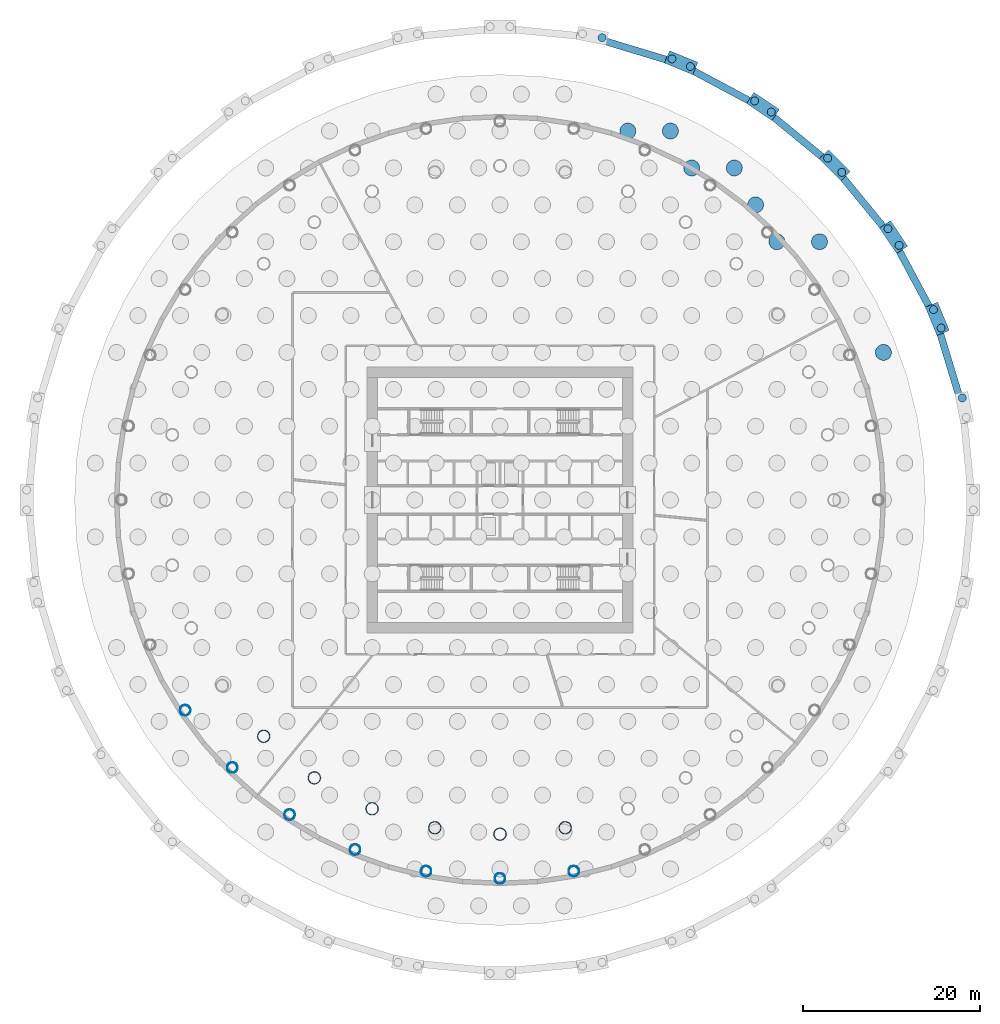
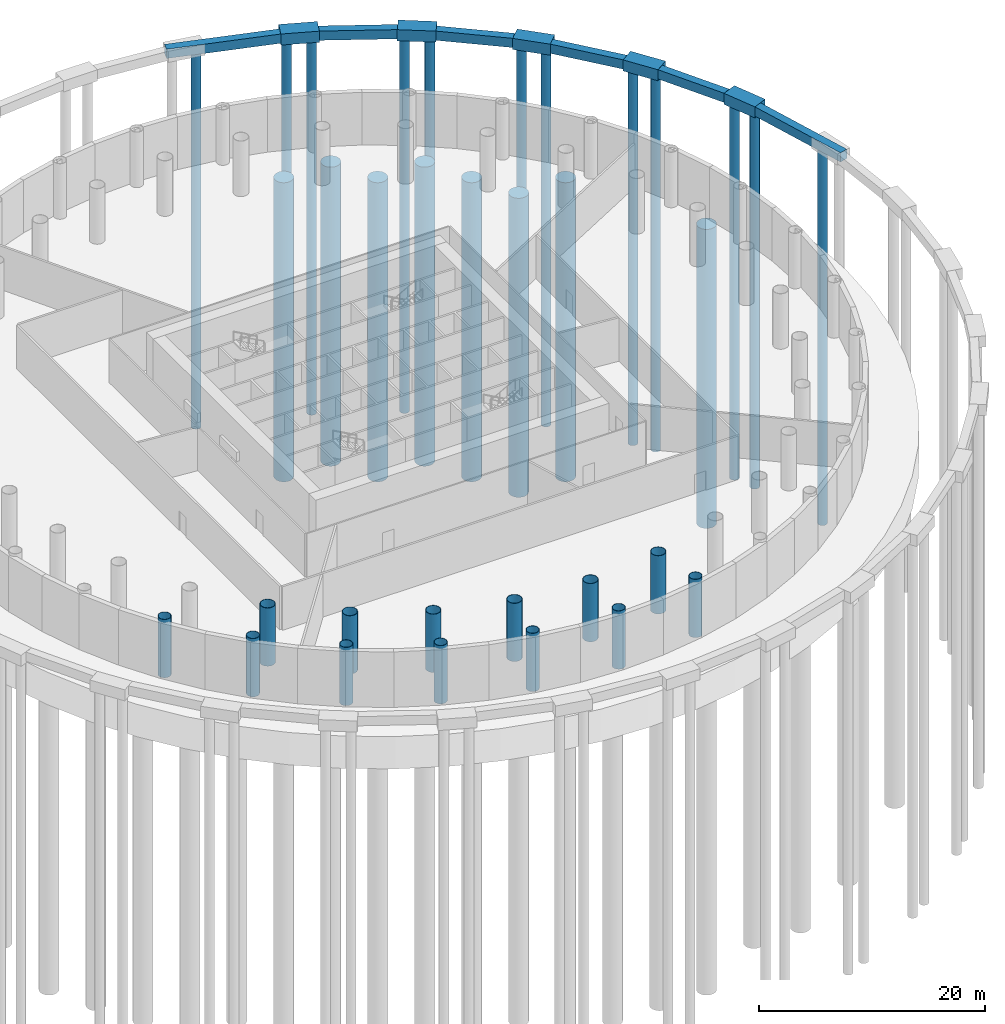
# One storey, part 3 of 12: 20 piles, 13 columns, 11 footings.
"""IFC4 building model written with IfcOpenShell, lengths in metres."""

import ifcopenshell
import ifcopenshell.guid

model = None  # the IFC model being written
_history = None  # IfcOwnerHistory: only IFC2X3 demands one
_inside = {}  # id of a spatial element -> (the spatial element, [elements in it])
_under = {}  # id of a project, library or spatial element -> (it, [spatial elements below it])
_declared = {}  # id of a project -> (the project, [libraries it declares])
_typed = {}  # id of a type object -> (the type object, [elements of that type])
_made_of = {}  # id of a material, layer set ... -> (it, [elements and type objects made of it])


def new_model(schema):
    """Start an empty IFC model of exactly this schema.

    Asked for "IFC4X3", IfcOpenShell would pick the latest addendum, in which some entities
    have other attributes; the version numbers below select the first issue.
    IFC2X3 requires an IfcOwnerHistory on every rooted entity: one is made here for all.
    """
    global model, _history
    if schema == "IFC4X3":
        model = ifcopenshell.file(schema_version=(4, 3, 0, 0))
    else:
        model = ifcopenshell.file(schema=schema)
    _inside.clear()
    _under.clear()
    _declared.clear()
    _typed.clear()
    _made_of.clear()
    _history = None
    if model.schema == "IFC2X3":
        org = make("IfcOrganization", Name="unknown")
        user = make(
            "IfcPersonAndOrganization",
            ThePerson=make("IfcPerson", FamilyName="unknown"),
            TheOrganization=org,
        )
        app = make(
            "IfcApplication",
            ApplicationDeveloper=org,
            Version="unknown",
            ApplicationFullName="unknown",
            ApplicationIdentifier="unknown",
        )
        _history = make(
            "IfcOwnerHistory",
            OwningUser=user,
            OwningApplication=app,
            ChangeAction="ADDED",
            CreationDate=0,
        )
    return model


def make(cls, **values):
    """One entity of the class cls with the attributes given. An attribute that is None is left unset."""
    return model.create_entity(
        cls, **{name: value for name, value in values.items() if value is not None}
    )


def rooted(cls, **values):
    """An entity with a GlobalId (a new one), such as an element, a storey or a relation."""
    return make(cls, GlobalId=ifcopenshell.guid.new(), OwnerHistory=_history, **values)


def si_unit(unit_type, name, prefix=None):
    """IfcSIUnit, for example si_unit("LENGTHUNIT", "METRE", prefix="MILLI")."""
    return make("IfcSIUnit", UnitType=unit_type, Prefix=prefix, Name=name)


def assignment(units):
    """IfcUnitAssignment: the units of a project."""
    return None if units is None else make("IfcUnitAssignment", Units=units)


def point(xyz):
    """IfcCartesianPoint."""
    return None if xyz is None else make("IfcCartesianPoint", Coordinates=xyz)


def direction(xyz):
    """IfcDirection."""
    return None if xyz is None else make("IfcDirection", DirectionRatios=xyz)


def frame(location, z_axis=None, x_axis=None):
    """IfcAxis2Placement3D, a coordinate frame: its origin and axes. An axis left out is left unset."""
    return make(
        "IfcAxis2Placement3D",
        Location=point(location),
        Axis=direction(z_axis),
        RefDirection=direction(x_axis),
    )


def frame_2d(location, x_axis=None):
    """IfcAxis2Placement2D, a coordinate frame in the plane: its origin and x axis."""
    return make(
        "IfcAxis2Placement2D", Location=point(location), RefDirection=direction(x_axis)
    )


def origin():
    """The frame at (0, 0, 0) with its axes left unset."""
    return frame((0.0, 0.0, 0.0))


def origin_2d():
    """The frame at (0, 0) in the plane with its x axis left unset."""
    return frame_2d((0.0, 0.0))


def place(relative_to, where):
    """IfcLocalPlacement: puts the frame where relative to a parent placement (None: the world)."""
    return make(
        "IfcLocalPlacement", PlacementRelTo=relative_to, RelativePlacement=where
    )


def context(
    kind, dimensions, precision=None, world=None, true_north=None, identifier=None
):
    """IfcGeometricRepresentationContext, for example the 3D "Model" context."""
    return make(
        "IfcGeometricRepresentationContext",
        ContextIdentifier=identifier,
        ContextType=kind,
        CoordinateSpaceDimension=dimensions,
        Precision=precision,
        WorldCoordinateSystem=world,
        TrueNorth=true_north,
    )


def subcontext(parent, identifier, kind, view, scale=None):
    """IfcGeometricRepresentationSubContext, for example "Body" below "Model"."""
    return make(
        "IfcGeometricRepresentationSubContext",
        ContextIdentifier=identifier,
        ContextType=kind,
        ParentContext=parent,
        TargetScale=scale,
        TargetView=view,
    )


def project(units=None, contexts=None):
    """IfcProject with its units and contexts."""
    return rooted(
        "IfcProject",
        Name="project",
        RepresentationContexts=contexts,
        UnitsInContext=assignment(units),
    )


def spatial(cls, under=None, at=None, **own):
    """A site, building, storey or space (cls), placed at a placement, below another one or the project."""
    s = rooted(cls, ObjectPlacement=at, **own)
    if under is not None:
        _under.setdefault(under.id(), (under, []))[1].append(s)
    return s


def profile(cls, at=None, kind="AREA", **sizes):
    """A parametric profile (cls). Its sizes go by their IFC names, for example OverallWidth=200.0."""
    return make(cls, ProfileType=kind, Position=at, **sizes)


def rectangle(**sizes):
    """IfcRectangleProfileDef."""
    return profile("IfcRectangleProfileDef", **sizes)


def circle(**sizes):
    """IfcCircleProfileDef."""
    return profile("IfcCircleProfileDef", **sizes)


def hollow_circle(**sizes):
    """IfcCircleHollowProfileDef."""
    return profile("IfcCircleHollowProfileDef", **sizes)


def extrude(swept, where, along, depth):
    """IfcExtrudedAreaSolid: the profile swept, set in the frame where, extruded along a direction by depth."""
    return make(
        "IfcExtrudedAreaSolid",
        SweptArea=swept,
        Position=where,
        ExtrudedDirection=direction(along),
        Depth=depth,
    )


def shape(context_of_items, identifier, shape_type, items):
    """IfcShapeRepresentation: the items that make up one representation, for example the "Body"."""
    return make(
        "IfcShapeRepresentation",
        ContextOfItems=context_of_items,
        RepresentationIdentifier=identifier,
        RepresentationType=shape_type,
        Items=items,
    )


def material(Name=None, Category=None):
    """IfcMaterial."""
    return make("IfcMaterial", Name=Name, Category=Category)


def layer(
    of_material, thickness, ventilated=None, Name=None, Category=None, Priority=None
):
    """IfcMaterialLayer: one layer of a wall or slab, of a material (None: an air gap)."""
    return make(
        "IfcMaterialLayer",
        Material=of_material,
        LayerThickness=thickness,
        IsVentilated=ventilated,
        Name=Name,
        Category=Category,
        Priority=Priority,
    )


def layer_set(layers, Name=None):
    """IfcMaterialLayerSet."""
    return make("IfcMaterialLayerSet", MaterialLayers=layers, LayerSetName=Name)


def material_profile(
    of_material, cross_section, Name=None, Category=None, Priority=None
):
    """IfcMaterialProfile: a cross section and its material."""
    return make(
        "IfcMaterialProfile",
        Name=Name,
        Material=of_material,
        Profile=cross_section,
        Priority=Priority,
        Category=Category,
    )


def profile_set(profiles, Name=None, composite=None):
    """IfcMaterialProfileSet."""
    return make(
        "IfcMaterialProfileSet",
        Name=Name,
        MaterialProfiles=profiles,
        CompositeProfile=composite,
    )


def made_of(thing, what):
    """Note that an element or type object is made of a material, layer set ...; save() writes the relation."""
    if what is not None:
        _made_of.setdefault(what.id(), (what, []))[1].append(thing)
    return thing


def type_object(cls, material=None, **own):
    """A type object (cls), such as IfcWallType, which elements share."""
    return made_of(rooted(cls, **own), material)


def element(
    cls,
    number,
    at=None,
    inside=None,
    cuts=None,
    type_object=None,
    material=None,
    context=None,
    identifier="Body",
    shape_type=None,
    held_by="IfcProductDefinitionShape",
    body=None,
    shapes=None,
    **own,
):
    """One element of the class cls, such as IfcWall. Its Tag is "e" and its number.

    at: its placement. inside: the storey or other place that contains it. cuts: it is an
    opening in that element (IfcRelVoidsElement). A single representation is given by context,
    identifier, shape_type and body (its items); several are given by shapes. held_by: the class
    of the entity that holds the representations. save() writes the other relations.
    """
    e = rooted(cls, Tag="e%d" % number, ObjectPlacement=at, **own)
    if body is not None:
        shapes = [shape(context, identifier, shape_type, body)]
    if shapes is not None:
        e.Representation = make(held_by, Representations=shapes)
    if inside is not None:
        _inside.setdefault(inside.id(), (inside, []))[1].append(e)
    if cuts is not None:
        rooted(
            "IfcRelVoidsElement", RelatingBuildingElement=cuts, RelatedOpeningElement=e
        )
    if type_object is not None:
        _typed.setdefault(type_object.id(), (type_object, []))[1].append(e)
    return made_of(e, material)


def aggregate(whole, parts):
    """IfcRelAggregates: a whole, such as a stair, and the parts it consists of."""
    return rooted("IfcRelAggregates", RelatingObject=whole, RelatedObjects=parts)


def save(model, path):
    """Write the relations noted so far, then the file.

    IfcRelAggregates (storeys below a building ...), IfcRelContainedInSpatialStructure (elements
    in a storey), IfcRelDefinesByType, IfcRelAssociatesMaterial and IfcRelDeclares: one each for
    every whole, place, type object, material and project.
    """
    for whole, parts in _under.values():
        aggregate(whole, parts)
    for where, things in _inside.values():
        rooted(
            "IfcRelContainedInSpatialStructure",
            RelatedElements=things,
            RelatingStructure=where,
        )
    for kind, things in _typed.values():
        rooted("IfcRelDefinesByType", RelatedObjects=things, RelatingType=kind)
    for what, things in _made_of.values():
        rooted("IfcRelAssociatesMaterial", RelatedObjects=things, RelatingMaterial=what)
    for by, libraries in _declared.values():
        rooted("IfcRelDeclares", RelatingContext=by, RelatedDefinitions=libraries)
    model.write(path)


model = new_model("IFC4")

# Units and contexts
model_context = context("Model", 3, precision=1e-05, world=origin(), true_north=direction((0.0, 1.0)))
body_context = subcontext(model_context, "Body", "Model", "MODEL_VIEW")
ifc_project = project(units=[si_unit("LENGTHUNIT", "METRE"), si_unit("AREAUNIT", "SQUARE_METRE"), si_unit("VOLUMEUNIT", "CUBIC_METRE"), si_unit("PLANEANGLEUNIT", "RADIAN"), si_unit("MASSUNIT", "GRAM", prefix="KILO")], contexts=[model_context])

# Site, building, storey
site_placement = place(None, origin())
site = spatial("IfcSite", under=ifc_project, at=site_placement, CompositionType="ELEMENT")
building_placement = place(site_placement, origin())
building = spatial("IfcBuilding", under=site, at=building_placement, Name="Corvane Civic Tower", CompositionType="ELEMENT")
storey_placement = place(building_placement, frame((0.0, 0.0, -6.0)))
storey = spatial("IfcBuildingStorey", under=building, at=storey_placement, Name="B1", CompositionType="ELEMENT", Elevation=-6.0)

# Piles
ifc_material_1 = material(Name="Concrete C40/50", Category="concrete")
ifc_material_profile_1 = material_profile(ifc_material_1, circle(Radius=0.89990234375, at=origin_2d()), Name="BORED PILE 1800")
ifc_profile_set_1 = profile_set([ifc_material_profile_1], Name="Concrete C40/50")
pile_type_1 = type_object("IfcPileType", Name="BORED PILE BORED PILE 1800", PredefinedType="BORED", material=ifc_profile_set_1)
for number, where, z_axis, x_axis, name in (
    (1, (43.25390625, 16.6484375, -3.64990234375), (0.0, 0.0, -1.0), (1.0, 0.0, 0.0), "PIL-B1-260"),
    (2, (31.239013671875, 29.134765625, -3.64990234375), (0.0, 0.0, -1.0), (1.0, 0.0, 0.0), "PIL-B1-310"),
    (3, (36.044921875, 29.134765625, -3.64990234375), (0.0, 0.0, -1.0), (1.0, 0.0, 0.0), "PIL-B1-311"),
    (4, (28.8359375, 33.296875, -3.64990234375), (0.0, 0.0, -1.0), (1.0, 0.0, 0.0), "PIL-B1-324"),
    (5, (21.626953125, 37.458984375, -3.64990234375), (0.0, 0.0, -1.0), (1.0, 0.0, 0.0), "PIL-B1-335"),
    (6, (26.43310546875, 37.458984375, -3.64990234375), (0.0, 0.0, -1.0), (1.0, 0.0, 0.0), "PIL-B1-336"),
    (7, (14.41796875, 41.62109375, -3.64990234375), (0.0, 0.0, -1.0), (1.0, 0.0, 0.0), "PIL-B1-344"),
    (8, (19.22412109375, 41.62109375, -3.64990234375), (0.0, 0.0, -1.0), (1.0, 0.0, 0.0), "PIL-B1-345"),
):
    element("IfcPile", number, at=place(storey_placement, frame(where, z_axis=z_axis, x_axis=x_axis)), inside=storey, type_object=pile_type_1, Name=name, PredefinedType="BORED", context=body_context, shape_type="SweptSolid", body=[
        extrude(circle(Radius=0.89990234375, at=origin_2d()), origin(), (0.0, 0.0, 1.0), 32.35009765625),
    ])
ifc_material_2 = material(Name="Concrete C40/50", Category="concrete")
ifc_material_profile_2 = material_profile(ifc_material_2, circle(Radius=0.449951171875, at=origin_2d()), Name="BORED PILE 900")
ifc_profile_set_2 = profile_set([ifc_material_profile_2], Name="Concrete C40/50")
pile_type_2 = type_object("IfcPileType", Name="BORED PILE BORED PILE 900", PredefinedType="BORED", material=ifc_profile_set_2)
for number, where, z_axis, x_axis, name in (
    (9, (11.52099609375, 52.154541015625, 4.64990234375), (0.0, 0.0, -1.0), (1.0, 0.0, 0.0), "PIL-G-02-a"),
    (10, (21.474609375, 48.90478515625, 4.64990234375), (0.0, 0.0, -1.0), (1.0, 0.0, 0.0), "PIL-G-03-a"),
    (11, (19.39599609375, 49.765625, 4.64990234375), (0.0, 0.0, -1.0), (1.0, 0.0, 0.0), "PIL-G-03-b"),
    (12, (30.602783203125, 43.775390625, 4.64990234375), (0.0, 0.0, -1.0), (1.0, 0.0, 0.0), "PIL-G-04-a"),
    (13, (28.732177734375, 45.025390625, 4.64990234375), (0.0, 0.0, -1.0), (1.0, 0.0, 0.0), "PIL-G-04-b"),
    (14, (38.554931640625, 36.964111328125, 4.64990234375), (0.0, 0.0, -1.0), (1.0, 0.0, 0.0), "PIL-G-05-a"),
    (15, (36.964111328125, 38.554931640625, 4.64990234375), (0.0, 0.0, -1.0), (1.0, 0.0, 0.0), "PIL-G-05-b"),
    (16, (45.025390625, 28.732177734375, 4.64990234375), (0.0, 0.0, -1.0), (1.0, 0.0, 0.0), "PIL-G-06-a"),
    (17, (43.775390625, 30.602783203125, 4.64990234375), (0.0, 0.0, -1.0), (1.0, 0.0, 0.0), "PIL-G-06-b"),
    (18, (49.765625, 19.39599609375, 4.64990234375), (0.0, 0.0, -1.0), (1.0, 0.0, 0.0), "PIL-G-07-a"),
    (19, (48.90478515625, 21.474609375, 4.64990234375), (0.0, 0.0, -1.0), (1.0, 0.0, 0.0), "PIL-G-07-b"),
    (20, (52.154541015625, 11.52099609375, 4.64990234375), (0.0, 0.0, -1.0), (1.0, 0.0, 0.0), "PIL-G-08-b"),
):
    element("IfcPile", number, at=place(storey_placement, frame(where, z_axis=z_axis, x_axis=x_axis)), inside=storey, type_object=pile_type_2, Name=name, PredefinedType="BORED", context=body_context, shape_type="SweptSolid", body=[
        extrude(circle(Radius=0.449951171875, at=origin_2d()), origin(), (0.0, 0.0, 1.0), 40.64990234375),
    ])

# Footings
ifc_material_3 = material(Name="Concrete C40/50", Category="concrete")
ifc_material_profile_3 = material_profile(ifc_material_3, rectangle(XDim=0.800048828125, YDim=1.0, at=origin_2d()), Name="GROUND BEAM 800X1000")
ifc_profile_set_3 = profile_set([ifc_material_profile_3], Name="Concrete C40/50")
footing_type_1 = type_object("IfcFootingType", Name="GROUND BEAM GROUND BEAM 800X1000", PredefinedType="FOOTING_BEAM", material=ifc_profile_set_3)
for number, where, z_axis, x_axis, name in (
    (21, (8.725830078125, 52.71044921875, 5.199951171875), (0.956942095793, -0.290278875048, 0.0), (0.290278875048, 0.956942095793, 0.0), "FTG-G-gb-02"),
    (22, (18.841552734375, 49.995361328125, 5.199951171875), (0.881921850078, -0.471395641001, 0.0), (0.471395641001, 0.881921850078, 0.0), "FTG-G-gb-03"),
):
    element("IfcFooting", number, at=place(storey_placement, frame(where, z_axis=z_axis, x_axis=x_axis)), inside=storey, type_object=footing_type_1, Name=name, PredefinedType="FOOTING_BEAM", context=body_context, shape_type="SweptSolid", body=[
        extrude(rectangle(XDim=0.800048828125, YDim=1.0, at=origin_2d()), origin(), (0.0, 0.0, 1.0), 13.90185546875),
    ])
for number, where, z_axis, x_axis, name in (
    (23, (28.233154296875, 45.358642578125, 5.199951171875), (0.773019045502, -0.634382814468, 0.0), (0.634382814468, 0.773019045502, 0.0), "FTG-G-gb-04"),
    (24, (36.539794921875, 38.979248046875, 5.199951171875), (0.634382814468, -0.773019045502, 0.0), (0.773019045502, 0.634382814468, 0.0), "FTG-G-gb-05"),
):
    element("IfcFooting", number, at=place(storey_placement, frame(where, z_axis=z_axis, x_axis=x_axis)), inside=storey, type_object=footing_type_1, Name=name, PredefinedType="FOOTING_BEAM", context=body_context, shape_type="SweptSolid", body=[
        extrude(rectangle(XDim=0.800048828125, YDim=1.0, at=origin_2d()), origin(), (0.0, 0.0, 1.0), 13.9013671875),
    ])
for number, where, z_axis, x_axis, name in (
    (25, (43.442138671875, 31.101806640625, 5.199951171875), (0.471395641001, -0.881921850078, 0.0), (0.881921850078, 0.471395641001, 0.0), "FTG-G-gb-06"),
    (26, (48.675048828125, 22.029052734375, 5.199951171875), (0.290278875048, -0.956942095793, 0.0), (0.956942095793, 0.290278875048, 0.0), "FTG-G-gb-07"),
):
    element("IfcFooting", number, at=place(storey_placement, frame(where, z_axis=z_axis, x_axis=x_axis)), inside=storey, type_object=footing_type_1, Name=name, PredefinedType="FOOTING_BEAM", context=body_context, shape_type="SweptSolid", body=[
        extrude(rectangle(XDim=0.800048828125, YDim=1.0, at=origin_2d()), origin(), (0.0, 0.0, 1.0), 13.90185546875),
    ])
ifc_material_4 = material(Name="Concrete C50/60", Category="concrete")
ifc_layer = layer(ifc_material_4, 1.199951171875)
ifc_layer_set = layer_set([ifc_layer], Name="Concrete C50/60")
footing_type_2 = type_object("IfcFootingType", Name="PILE CAP 3450X1500", PredefinedType="PILE_CAP", material=ifc_layer_set)
for number, where, z_axis, x_axis, name in (
    (27, (20.435302734375, 49.335205078125, 4.5), (0.0, 0.0, 1.0), (-0.923879532511, 0.382683432365, 0.0), "FTG-G-cap-03"),
    (28, (29.66748046875, 44.400390625, 4.5), (0.0, 0.0, 1.0), (-0.831469612303, 0.55557023302, 0.0), "FTG-G-cap-04"),
    (29, (37.759521484375, 37.759521484375, 4.5), (0.0, 0.0, 1.0), (-0.707106781187, 0.707106781187, 0.0), "FTG-G-cap-05"),
    (30, (44.400390625, 29.66748046875, 4.5), (0.0, 0.0, 1.0), (-0.55557023302, 0.831469612303, 0.0), "FTG-G-cap-06"),
    (31, (49.335205078125, 20.435302734375, 4.5), (0.0, 0.0, 1.0), (-0.382683432365, 0.923879532511, 0.0), "FTG-G-cap-07"),
):
    element("IfcFooting", number, at=place(storey_placement, frame(where, z_axis=z_axis, x_axis=x_axis)), inside=storey, type_object=footing_type_2, Name=name, PredefinedType="PILE_CAP", context=body_context, shape_type="SweptSolid", body=[
        extrude(rectangle(XDim=3.449951171875, YDim=1.5, at=origin_2d()), origin(), (0.0, 0.0, 1.0), 1.199951171875),
    ])

# Columns
ifc_material_5 = material(Name="Steel ASTM A572 Gr 50", Category="steel")
ifc_material_profile_4 = material_profile(ifc_material_5, hollow_circle(Radius=0.60009765625, WallThickness=0.035888671875, at=origin_2d()), Name="CHS1200X36")
ifc_profile_set_4 = profile_set([ifc_material_profile_4], Name="Steel ASTM A572 Gr 50")
column_type_1 = type_object("IfcColumnType", Name="COMPOSITE COLUMN CHS1200X36", PredefinedType="COLUMN", material=ifc_profile_set_4)
for number, where, z_axis, x_axis, name in (
    (32, (8.330322265625, -41.879638671875, -0.300048828125), (0.0, 0.0, 1.0), (1.0, 0.0, 0.0), "COL-B1-G16"),
    (33, (0.0, -42.699951171875, -0.300048828125), (0.0, 0.0, 1.0), (1.0, 0.0, 0.0), "COL-B1-G17"),
    (34, (-8.330322265625, -41.879638671875, -0.300048828125), (0.0, 0.0, 1.0), (1.0, 0.0, 0.0), "COL-B1-G18"),
    (35, (-16.340576171875, -39.44970703125, -0.300048828125), (0.0, 0.0, 1.0), (1.0, 0.0, 0.0), "COL-B1-G19"),
    (36, (-23.722900390625, -35.503662109375, -0.300048828125), (0.0, 0.0, 1.0), (1.0, 0.0, 0.0), "COL-B1-G20"),
    (37, (-30.193359375, -30.193359375, -0.300048828125), (0.0, 0.0, 1.0), (1.0, 0.0, 0.0), "COL-B1-G21"),
    (38, (-35.503662109375, -23.722900390625, -0.300048828125), (0.0, 0.0, 1.0), (1.0, 0.0, 0.0), "COL-B1-G22"),
):
    element("IfcColumn", number, at=place(storey_placement, frame(where, z_axis=z_axis, x_axis=x_axis)), inside=storey, type_object=column_type_1, Name=name, PredefinedType="COLUMN", context=body_context, shape_type="SweptSolid", body=[
        extrude(hollow_circle(Radius=0.60009765625, WallThickness=0.035888671875, at=origin_2d()), origin(), (0.0, 0.0, 1.0), 6.300048828125),
    ])
ifc_material_6 = material(Name="Steel ASTM A572 Gr 50", Category="steel")
ifc_material_profile_5 = material_profile(ifc_material_6, hollow_circle(Radius=0.699951171875, WallThickness=0.0400390625, at=origin_2d()), Name="CHS1400X40")
ifc_profile_set_5 = profile_set([ifc_material_profile_5], Name="Steel ASTM A572 Gr 50")
column_type_2 = type_object("IfcColumnType", Name="COMPOSITE COLUMN CHS1400X40", PredefinedType="COLUMN", material=ifc_profile_set_5)
for number, where, z_axis, x_axis, name in (
    (39, (7.35498046875, -36.9755859375, -0.300048828125), (0.0, 0.0, 1.0), (1.0, 0.0, 0.0), "COL-B1-A16"),
    (40, (0.0, -37.699951171875, -0.300048828125), (0.0, 0.0, 1.0), (1.0, 0.0, 0.0), "COL-B1-A17"),
    (41, (-7.35498046875, -36.9755859375, -0.300048828125), (0.0, 0.0, 1.0), (1.0, 0.0, 0.0), "COL-B1-A18"),
    (42, (-14.42724609375, -34.830322265625, -0.300048828125), (0.0, 0.0, 1.0), (1.0, 0.0, 0.0), "COL-B1-A19"),
    (43, (-20.945068359375, -31.346435546875, -0.300048828125), (0.0, 0.0, 1.0), (1.0, 0.0, 0.0), "COL-B1-A20"),
    (44, (-26.657958984375, -26.657958984375, -0.300048828125), (0.0, 0.0, 1.0), (1.0, 0.0, 0.0), "COL-B1-A21"),
):
    element("IfcColumn", number, at=place(storey_placement, frame(where, z_axis=z_axis, x_axis=x_axis)), inside=storey, type_object=column_type_2, Name=name, PredefinedType="COLUMN", context=body_context, shape_type="SweptSolid", body=[
        extrude(hollow_circle(Radius=0.699951171875, WallThickness=0.0400390625, at=origin_2d()), origin(), (0.0, 0.0, 1.0), 6.300048828125),
    ])

save(model, "model.ifc")
